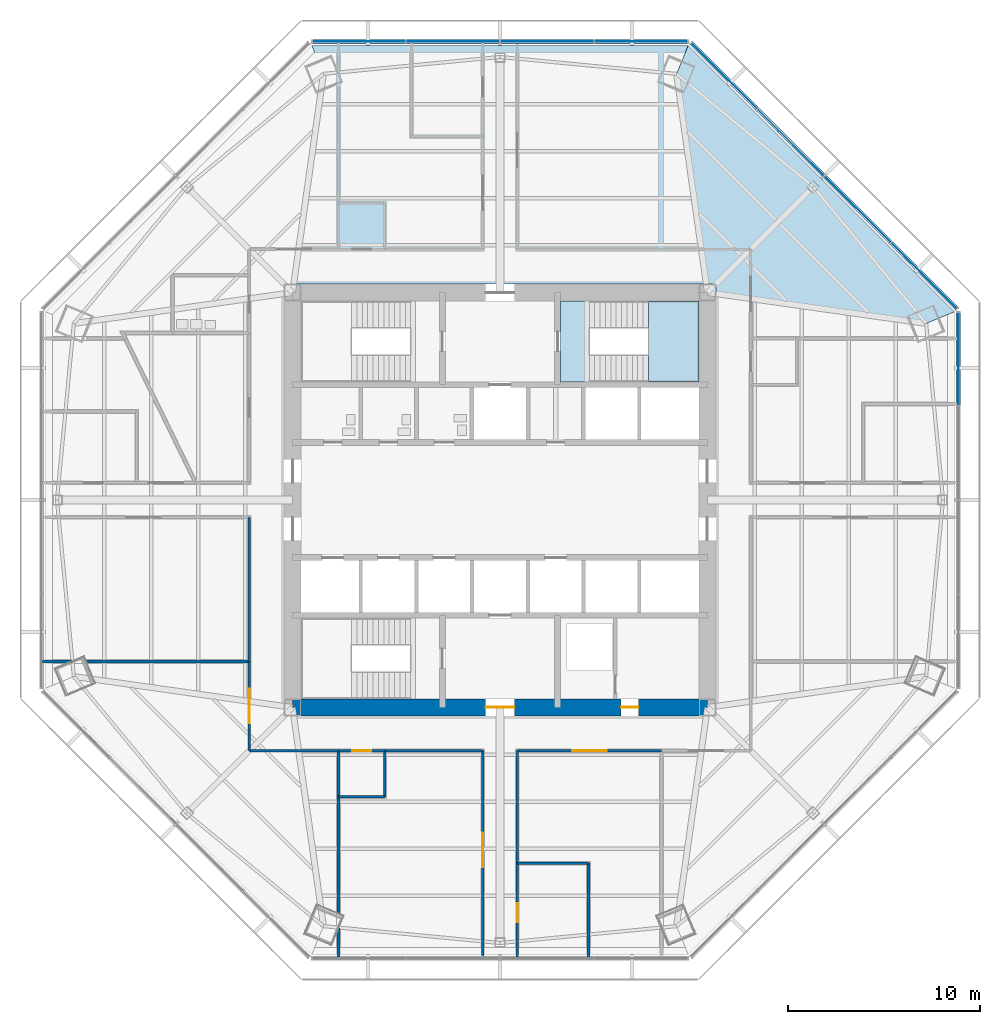
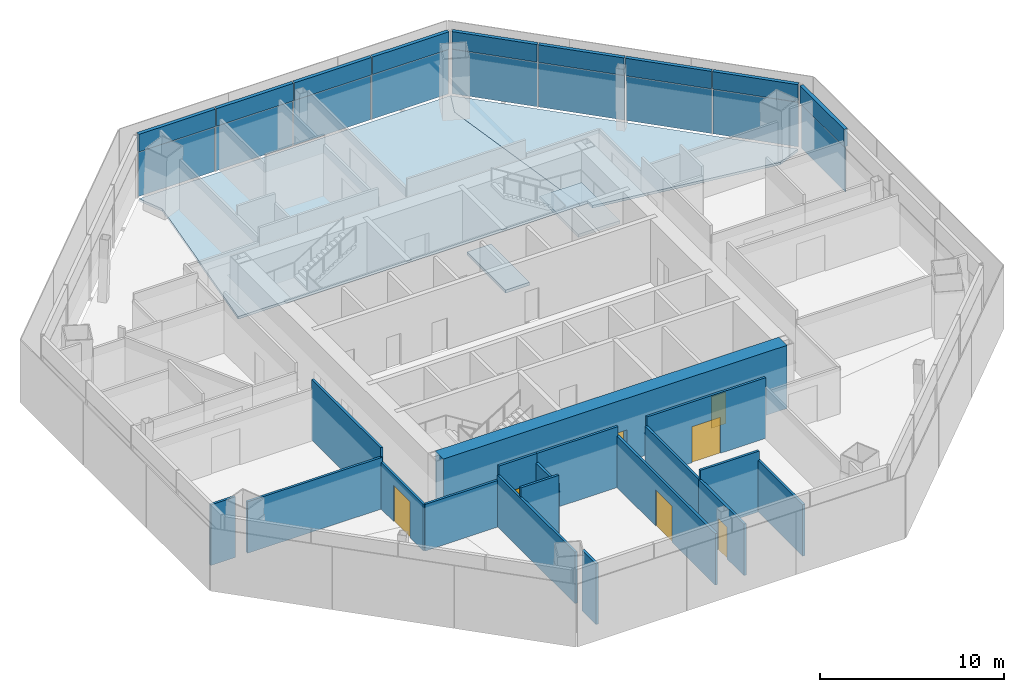
# One storey, part 8 of 14: 18 plates, 18 walls, 7 doors, 4 slabs, 7 openings, 4 elements without a shape of their own.
"""IFC4 building model written with IfcOpenShell, lengths in metres."""

from ifc_helpers import new_model, si_unit, direction, frame, frame_2d, origin, origin_2d, place, context, subcontext, project, spatial, polyline, rectangle, outline, extrude, source, transform, mapped, material, layer, layer_set, type_object, type_shapes, element, fill, aggregate, save


model = new_model("IFC4")

# Units and contexts
model_context = context("Model", 3, precision=1e-05, world=origin(), true_north=direction((0.0, 1.0)))
body_context = subcontext(model_context, "Body", "Model", "MODEL_VIEW")
ifc_project = project(units=[si_unit("LENGTHUNIT", "METRE"), si_unit("AREAUNIT", "SQUARE_METRE"), si_unit("VOLUMEUNIT", "CUBIC_METRE"), si_unit("PLANEANGLEUNIT", "RADIAN"), si_unit("MASSUNIT", "GRAM", prefix="KILO")], contexts=[model_context])

# Site, building, storey
site_placement = place(None, origin())
site = spatial("IfcSite", under=ifc_project, at=site_placement, CompositionType="ELEMENT")
building_placement = place(site_placement, origin())
building = spatial("IfcBuilding", under=site, at=building_placement, Name="Mashrafa Tower", CompositionType="ELEMENT")
storey_placement = place(building_placement, frame((0.0, 0.0, 147.0)))
storey = spatial("IfcBuildingStorey", under=building, at=storey_placement, Name="L33", CompositionType="ELEMENT", Elevation=147.0)

# Slabs
ifc_material_1 = material(Name="Concrete C35/45", Category="concrete")
ifc_layer_1 = layer(ifc_material_1, 0.1650390625)
ifc_layer_set_1 = layer_set([ifc_layer_1], Name="Floor slab 165")
slab_type_1 = type_object("IfcSlabType", Name="Floor slab 165", PredefinedType="FLOOR", material=ifc_layer_set_1)
slab_1_placement = place(storey_placement, frame((0.0, 0.0, -0.1650390625)))
element("IfcSlab", 1, at=slab_1_placement, inside=storey, type_object=slab_type_1, Name="Floor slab L33 north-east bay", PredefinedType="FLOOR", context=body_context, shape_type="SweptSolid", body=[
    extrude(outline(polyline([(9.798828125, 23.65625), (23.65625, 9.798828125), (23.65625, 9.798828125), (22.182861328125, 9.1884765625), (11.25, 10.736328125), (11.25, 11.25), (10.736328125, 11.25), (9.1884765625, 22.182861328125), (9.798828125, 23.65625), (9.798828125, 23.65625)])), origin(), (0.0, 0.0, 1.0), 0.1650390625),
])
slab_2_placement = place(storey_placement, frame((0.0, 0.0, -0.1650390625)))
element("IfcSlab", 2, at=slab_2_placement, inside=storey, type_object=slab_type_1, Name="Floor slab L33 north bay", PredefinedType="FLOOR", context=body_context, shape_type="SweptSolid", body=[
    extrude(outline(polyline([(9.798828125, 23.65625), (9.1884765625, 22.182861328125), (10.736328125, 11.25), (-10.736328125, 11.25), (-9.1884765625, 22.182861328125), (-9.798828125, 23.65625), (9.798828125, 23.65625)])), origin(), (0.0, 0.0, 1.0), 0.1650390625),
])

# Stair, slabs
ifc_material_2 = material(Name="Exit stair 1400")
stair_type = type_object("IfcStairType", Name="Exit stair 1400", PredefinedType="HALF_TURN_STAIR", material=ifc_material_2)
stair_placement = place(storey_placement, origin())
stair = element("IfcStair", 3, at=stair_placement, inside=storey, type_object=stair_type, Name="Stair S2 L33", PredefinedType="HALF_TURN_STAIR")
ifc_material_3 = material(Name="Concrete C32/40", Category="concrete")
ifc_layer_2 = layer(ifc_material_3, 0.199951171875)
ifc_layer_set_2 = layer_set([ifc_layer_2], Name="Stair landing 200")
slab_type_2 = type_object("IfcSlabType", Name="Stair landing 200", PredefinedType="LANDING", material=ifc_layer_set_2)
slab_3_placement = place(storey_placement, frame((0.0, 0.0, -0.199951171875)))
slab_3 = element("IfcSlab", 4, at=slab_3_placement, type_object=slab_type_2, Name="S2 landing 1", PredefinedType="LANDING", context=body_context, shape_type="SweptSolid", body=[
    extrude(outline(polyline([(3.14990234375, 6.14990234375), (4.659912109375, 6.14990234375), (4.659912109375, 10.35009765625), (3.14990234375, 10.35009765625), (3.14990234375, 6.14990234375)])), origin(), (0.0, 0.0, 1.0), 0.199951171875),
])
slab_4_placement = place(storey_placement, frame((0.0, 0.0, 1.89990234375)))
slab_4 = element("IfcSlab", 5, at=slab_4_placement, type_object=slab_type_2, Name="S2 landing 2", PredefinedType="LANDING", context=body_context, shape_type="SweptSolid", body=[
    extrude(outline(polyline([(7.719970703125, 6.14990234375), (10.35009765625, 6.14990234375), (10.35009765625, 10.35009765625), (7.719970703125, 10.35009765625), (7.719970703125, 6.14990234375)])), origin(), (0.0, 0.0, 1.0), 0.2001953125),
])
aggregate(stair, [slab_3, slab_4])

# Curtain wall, plate
ifc_material_4 = material(Name="Unitised aluminium curtain wall", Category="aluminium")
curtain_wall_type = type_object("IfcCurtainWallType", Name="Office curtain wall, zone 2 CW-B 225 deep", PredefinedType="NOTDEFINED", material=ifc_material_4)
curtain_wall_1_placement = place(storey_placement, origin())
curtain_wall_1 = element("IfcCurtainWall", 6, at=curtain_wall_1_placement, inside=storey, type_object=curtain_wall_type, Name="Office curtain wall, zone 2 L33 east", PredefinedType="NOTDEFINED")
ifc_material_5 = material(Name="Insulated double glazing, low-e, neutral", Category="glass")
ifc_layer_3 = layer(ifc_material_5, 0.028076171875)
ifc_layer_set_3 = layer_set([ifc_layer_3], Name="Vision panel CW-B 28")
plate_type_1 = type_object("IfcPlateType", Name="Vision panel CW-B 28", PredefinedType="CURTAIN_PANEL", material=ifc_layer_set_3)
shared_shape_1 = source(origin(), body_context, "Body", "SweptSolid", [
    extrude(rectangle(XDim=4.81494140625, YDim=0.028076171875, at=origin_2d()), origin(), (0.0, 0.0, 1.0), 2.9599609375),
])
plate_1_placement = place(storey_placement, frame((23.856201171875, 7.3525390625, 0.0), z_axis=(0.0, 0.0, 1.0), x_axis=(0.0, 1.0, 0.0)))
plate_1 = element("IfcPlate", 7, at=plate_1_placement, type_object=plate_type_1, Name="CW-B vision panel 4", PredefinedType="CURTAIN_PANEL", context=body_context, shape_type="MappedRepresentation", body=[
    mapped(shared_shape_1, transform((0.0, 0.0, 0.0))),
])

# Curtain wall, plates
curtain_wall_2_placement = place(storey_placement, origin())
curtain_wall_2 = element("IfcCurtainWall", 8, at=curtain_wall_2_placement, inside=storey, type_object=curtain_wall_type, Name="Office curtain wall, zone 2 L33 north-east", PredefinedType="NOTDEFINED")
plate_2_placement = place(storey_placement, frame((22.06787109375, 11.669921875, 0.0), z_axis=(0.0, 0.0, 1.0), x_axis=(-0.707106781187, 0.707106781187, 0.0)))
plate_2 = element("IfcPlate", 9, at=plate_2_placement, type_object=plate_type_1, Name="CW-B vision panel 1", PredefinedType="CURTAIN_PANEL", context=body_context, shape_type="MappedRepresentation", body=[
    mapped(shared_shape_1, transform((0.0, 0.0, 0.0))),
])
plate_3_placement = place(storey_placement, frame((11.669921875, 22.06787109375, 0.0), z_axis=(0.0, 0.0, 1.0), x_axis=(-0.707106781187, 0.707106781187, 0.0)))
plate_3 = element("IfcPlate", 10, at=plate_3_placement, type_object=plate_type_1, Name="CW-B vision panel 4", PredefinedType="CURTAIN_PANEL", context=body_context, shape_type="MappedRepresentation", body=[
    mapped(shared_shape_1, transform((0.0, 0.0, 0.0))),
])

curtain_wall_3_placement = place(storey_placement, origin())
curtain_wall_3 = element("IfcCurtainWall", 11, at=curtain_wall_3_placement, inside=storey, type_object=curtain_wall_type, Name="Office curtain wall, zone 2 L33 north", PredefinedType="NOTDEFINED")
plate_4_placement = place(storey_placement, frame((7.3525390625, 23.856201171875, 0.0), z_axis=(0.0, 0.0, 1.0), x_axis=(-1.0, 0.0, 0.0)))
plate_4 = element("IfcPlate", 12, at=plate_4_placement, type_object=plate_type_1, Name="CW-B vision panel 1", PredefinedType="CURTAIN_PANEL", context=body_context, shape_type="MappedRepresentation", body=[
    mapped(shared_shape_1, transform((0.0, 0.0, 0.0))),
])
plate_5_placement = place(storey_placement, frame((-7.3525390625, 23.856201171875, 0.0), z_axis=(0.0, 0.0, 1.0), x_axis=(-1.0, 0.0, 0.0)))
plate_5 = element("IfcPlate", 13, at=plate_5_placement, type_object=plate_type_1, Name="CW-B vision panel 4", PredefinedType="CURTAIN_PANEL", context=body_context, shape_type="MappedRepresentation", body=[
    mapped(shared_shape_1, transform((0.0, 0.0, 0.0))),
])

# Plate
ifc_material_6 = material(Name="Insulated aluminium spandrel panel", Category="aluminium")
ifc_layer_4 = layer(ifc_material_6, 0.219970703125)
ifc_layer_set_4 = layer_set([ifc_layer_4], Name="Spandrel panel CW-B 220")
plate_type_2 = type_object("IfcPlateType", Name="Spandrel panel CW-B 220", PredefinedType="CURTAIN_PANEL", material=ifc_layer_set_4)
shared_shape_2 = source(origin(), body_context, "Body", "SweptSolid", [
    extrude(rectangle(XDim=4.81494140625, YDim=0.219970703125, at=origin_2d()), origin(), (0.0, 0.0, 1.0), 1.159912109375),
])
plate_6_placement = place(storey_placement, frame((23.856201171875, 7.3525390625, 3.0400390625), z_axis=(0.0, 0.0, 1.0), x_axis=(0.0, 1.0, 0.0)))
plate_6 = element("IfcPlate", 14, at=plate_6_placement, type_object=plate_type_2, Name="CW-B spandrel panel 4", PredefinedType="CURTAIN_PANEL", context=body_context, shape_type="MappedRepresentation", body=[
    mapped(shared_shape_2, transform((0.0, 0.0, 0.0))),
])

aggregate(curtain_wall_1, [plate_1, plate_6])

plate_7_placement = place(storey_placement, frame((22.06787109375, 11.669921875, 3.0400390625), z_axis=(0.0, 0.0, 1.0), x_axis=(-0.707106781187, 0.707106781187, 0.0)))
plate_7 = element("IfcPlate", 15, at=plate_7_placement, type_object=plate_type_2, Name="CW-B spandrel panel 1", PredefinedType="CURTAIN_PANEL", context=body_context, shape_type="MappedRepresentation", body=[
    mapped(shared_shape_2, transform((0.0, 0.0, 0.0))),
])

plate_8_placement = place(storey_placement, frame((11.669921875, 22.06787109375, 3.0400390625), z_axis=(0.0, 0.0, 1.0), x_axis=(-0.707106781187, 0.707106781187, 0.0)))
plate_8 = element("IfcPlate", 16, at=plate_8_placement, type_object=plate_type_2, Name="CW-B spandrel panel 4", PredefinedType="CURTAIN_PANEL", context=body_context, shape_type="MappedRepresentation", body=[
    mapped(shared_shape_2, transform((0.0, 0.0, 0.0))),
])

plate_9_placement = place(storey_placement, frame((7.3525390625, 23.856201171875, 3.0400390625), z_axis=(0.0, 0.0, 1.0), x_axis=(-1.0, 0.0, 0.0)))
plate_9 = element("IfcPlate", 17, at=plate_9_placement, type_object=plate_type_2, Name="CW-B spandrel panel 1", PredefinedType="CURTAIN_PANEL", context=body_context, shape_type="MappedRepresentation", body=[
    mapped(shared_shape_2, transform((0.0, 0.0, 0.0))),
])

plate_10_placement = place(storey_placement, frame((-7.3525390625, 23.856201171875, 3.0400390625), z_axis=(0.0, 0.0, 1.0), x_axis=(-1.0, 0.0, 0.0)))
plate_10 = element("IfcPlate", 18, at=plate_10_placement, type_object=plate_type_2, Name="CW-B spandrel panel 4", PredefinedType="CURTAIN_PANEL", context=body_context, shape_type="MappedRepresentation", body=[
    mapped(shared_shape_2, transform((0.0, 0.0, 0.0))),
])

shared_shape_3 = source(origin(), body_context, "Body", "SweptSolid", [
    extrude(rectangle(XDim=4.847412109375, YDim=0.028076171875, at=origin_2d()), origin(), (0.0, 0.0, 1.0), 2.9599609375),
])
type_shapes(plate_type_1, [shared_shape_1, shared_shape_3])
plate_11_placement = place(storey_placement, frame((18.605712890625, 15.132080078125, 0.0), z_axis=(0.0, 0.0, 1.0), x_axis=(-0.707106781187, 0.707106781187, 0.0)))
plate_11 = element("IfcPlate", 19, at=plate_11_placement, type_object=plate_type_1, Name="CW-B vision panel 2", PredefinedType="CURTAIN_PANEL", context=body_context, shape_type="MappedRepresentation", body=[
    mapped(shared_shape_3, transform((0.0, 0.0, 0.0))),
])

plate_12_placement = place(storey_placement, frame((15.132080078125, 18.605712890625, 0.0), z_axis=(0.0, 0.0, 1.0), x_axis=(-0.707106781187, 0.707106781187, 0.0)))
plate_12 = element("IfcPlate", 20, at=plate_12_placement, type_object=plate_type_1, Name="CW-B vision panel 3", PredefinedType="CURTAIN_PANEL", context=body_context, shape_type="MappedRepresentation", body=[
    mapped(shared_shape_3, transform((0.0, 0.0, 0.0))),
])

plate_13_placement = place(storey_placement, frame((2.456298828125, 23.856201171875, 0.0), z_axis=(0.0, 0.0, 1.0), x_axis=(-1.0, 0.0, 0.0)))
plate_13 = element("IfcPlate", 21, at=plate_13_placement, type_object=plate_type_1, Name="CW-B vision panel 2", PredefinedType="CURTAIN_PANEL", context=body_context, shape_type="MappedRepresentation", body=[
    mapped(shared_shape_3, transform((0.0, 0.0, 0.0))),
])

plate_14_placement = place(storey_placement, frame((-2.456298828125, 23.856201171875, 0.0), z_axis=(0.0, 0.0, 1.0), x_axis=(-1.0, 0.0, 0.0)))
plate_14 = element("IfcPlate", 22, at=plate_14_placement, type_object=plate_type_1, Name="CW-B vision panel 3", PredefinedType="CURTAIN_PANEL", context=body_context, shape_type="MappedRepresentation", body=[
    mapped(shared_shape_3, transform((0.0, 0.0, 0.0))),
])

shared_shape_4 = source(origin(), body_context, "Body", "SweptSolid", [
    extrude(rectangle(XDim=4.847412109375, YDim=0.219970703125, at=origin_2d()), origin(), (0.0, 0.0, 1.0), 1.159912109375),
])
type_shapes(plate_type_2, [shared_shape_2, shared_shape_4])
plate_15_placement = place(storey_placement, frame((18.605712890625, 15.132080078125, 3.0400390625), z_axis=(0.0, 0.0, 1.0), x_axis=(-0.707106781187, 0.707106781187, 0.0)))
plate_15 = element("IfcPlate", 23, at=plate_15_placement, type_object=plate_type_2, Name="CW-B spandrel panel 2", PredefinedType="CURTAIN_PANEL", context=body_context, shape_type="MappedRepresentation", body=[
    mapped(shared_shape_4, transform((0.0, 0.0, 0.0))),
])

plate_16_placement = place(storey_placement, frame((15.132080078125, 18.605712890625, 3.0400390625), z_axis=(0.0, 0.0, 1.0), x_axis=(-0.707106781187, 0.707106781187, 0.0)))
plate_16 = element("IfcPlate", 24, at=plate_16_placement, type_object=plate_type_2, Name="CW-B spandrel panel 3", PredefinedType="CURTAIN_PANEL", context=body_context, shape_type="MappedRepresentation", body=[
    mapped(shared_shape_4, transform((0.0, 0.0, 0.0))),
])

aggregate(curtain_wall_2, [plate_2, plate_7, plate_11, plate_15, plate_12, plate_16, plate_3, plate_8])

plate_17_placement = place(storey_placement, frame((2.456298828125, 23.856201171875, 3.0400390625), z_axis=(0.0, 0.0, 1.0), x_axis=(-1.0, 0.0, 0.0)))
plate_17 = element("IfcPlate", 25, at=plate_17_placement, type_object=plate_type_2, Name="CW-B spandrel panel 2", PredefinedType="CURTAIN_PANEL", context=body_context, shape_type="MappedRepresentation", body=[
    mapped(shared_shape_4, transform((0.0, 0.0, 0.0))),
])

plate_18_placement = place(storey_placement, frame((-2.456298828125, 23.856201171875, 3.0400390625), z_axis=(0.0, 0.0, 1.0), x_axis=(-1.0, 0.0, 0.0)))
plate_18 = element("IfcPlate", 26, at=plate_18_placement, type_object=plate_type_2, Name="CW-B spandrel panel 3", PredefinedType="CURTAIN_PANEL", context=body_context, shape_type="MappedRepresentation", body=[
    mapped(shared_shape_4, transform((0.0, 0.0, 0.0))),
])

aggregate(curtain_wall_3, [plate_4, plate_9, plate_13, plate_17, plate_14, plate_18, plate_5, plate_10])

# Wall, openings, doors
ifc_material_7 = material(Name="Concrete C60/75", Category="concrete")
ifc_layer_5 = layer(ifc_material_7, 0.89990234375)
ifc_layer_set_5 = layer_set([ifc_layer_5], Name="Core wall 900 C60/75")
wall_type_1 = type_object("IfcWallType", Name="Core wall 900 C60/75", PredefinedType="SOLIDWALL", material=ifc_layer_set_5)
wall_1_placement = place(storey_placement, frame((-10.800048828125, -10.800048828125, 0.0), z_axis=(0.0, 0.0, 1.0), x_axis=(1.0, 0.0, 0.0)))
wall_1 = element("IfcWall", 27, at=wall_1_placement, inside=storey, type_object=wall_type_1, Name="Core wall CW-S L33", PredefinedType="SOLIDWALL", context=body_context, shape_type="SweptSolid", body=[
    extrude(rectangle(XDim=21.60009765625, YDim=0.89990234375, at=frame_2d((10.800048828125, 0.0))), origin(), (0.0, 0.0, 1.0), 4.199951171875),
])
opening_1_placement = place(wall_1_placement, frame((10.050048828125, 0.0, 0.0)))
opening_1 = element("IfcOpeningElement", 28, at=opening_1_placement, cuts=wall_1, Name="Opening 33.027", PredefinedType="OPENING", context=body_context, shape_type="SweptSolid", body=[
    extrude(rectangle(XDim=1.5, YDim=2.10009765625, at=frame_2d((0.75, 1.050048828125))), frame((0.0, 0.4599609375, 0.0), z_axis=(0.0, -1.0, 0.0), x_axis=(1.0, 0.0, 0.0)), (0.0, 0.0, 1.0), 0.919921875),
])
opening_2_placement = place(wall_1_placement, frame((17.10009765625, 0.0, 0.0)))
opening_2 = element("IfcOpeningElement", 29, at=opening_2_placement, cuts=wall_1, Name="Opening 33.031", PredefinedType="OPENING", context=body_context, shape_type="SweptSolid", body=[
    extrude(rectangle(XDim=0.89990234375, YDim=2.10009765625, at=frame_2d((0.449951171875, 1.050048828125))), frame((0.0, 0.4599609375, 0.0), z_axis=(0.0, -1.0, 0.0), x_axis=(1.0, 0.0, 0.0)), (0.0, 0.0, 1.0), 0.919921875),
])
ifc_material_8 = material(Name="Steel door", Category="steel")
door_type_1 = type_object("IfcDoorType", Name="Lobby door pair 1500 x 2100 90 min", OperationType="DOUBLE_DOOR_SINGLE_SWING", PredefinedType="DOOR", material=ifc_material_8)
door_1_placement = place(opening_1_placement, origin())
door_1 = element("IfcDoor", 30, at=door_1_placement, inside=storey, type_object=door_type_1, Name="Fire-fighting lobby F2 door L33", OperationType="DOUBLE_DOOR_SINGLE_SWING", OverallHeight=2.10009765625, OverallWidth=1.5, PredefinedType="DOOR", context=body_context, shape_type="SweptSolid", body=[
    extrude(rectangle(XDim=1.5, YDim=2.10009765625, at=frame_2d((0.75, 1.050048828125))), frame((0.0, 0.02490234375, 0.0), z_axis=(0.0, -1.0, 0.0), x_axis=(1.0, 0.0, 0.0)), (0.0, 0.0, 1.0), 0.050048828125),
])
fill(opening_1, door_1)
ifc_material_9 = material(Name="Steel door", Category="steel")
door_type_2 = type_object("IfcDoorType", Name="Service door 900 x 2100 90 min", OperationType="USERDEFINED", PredefinedType="DOOR", material=ifc_material_9)
door_2_placement = place(opening_2_placement, origin())
door_2 = element("IfcDoor", 31, at=door_2_placement, inside=storey, type_object=door_type_2, Name="Tenant Store L33 door", OperationType="SINGLE_SWING_LEFT", OverallHeight=2.10009765625, OverallWidth=0.89990234375, PredefinedType="DOOR", context=body_context, shape_type="SweptSolid", body=[
    extrude(rectangle(XDim=0.89990234375, YDim=2.10009765625, at=frame_2d((0.449951171875, 1.050048828125))), frame((0.0, 0.02490234375, 0.0), z_axis=(0.0, -1.0, 0.0), x_axis=(1.0, 0.0, 0.0)), (0.0, 0.0, 1.0), 0.050048828125),
])
fill(opening_2, door_2)

# Wall, opening, door
ifc_material_10 = material(Name="Gypsum board on steel studs", Category="steel")
ifc_layer_6 = layer(ifc_material_10, 0.14990234375)
ifc_layer_set_6 = layer_set([ifc_layer_6], Name="Corridor partition 150 1 hr")
wall_type_2 = type_object("IfcWallType", Name="Corridor partition 150 1 hr", PredefinedType="PARTITIONING", material=ifc_layer_set_6)
wall_2_placement = place(storey_placement, frame((0.89990234375, -23.84033203125, 0.0), z_axis=(0.0, 0.0, 1.0), x_axis=(0.0, 1.0, 0.0)))
wall_2 = element("IfcWall", 32, at=wall_2_placement, inside=storey, type_object=wall_type_2, Name="Corridor wall L33-005", PredefinedType="PARTITIONING", context=body_context, shape_type="SweptSolid", body=[
    extrude(rectangle(XDim=4.93505859375, YDim=0.14990234375, at=frame_2d((2.467529296875, 0.0))), origin(), (0.0, 0.0, 1.0), 3.425537109375),
])
opening_3_placement = place(wall_2_placement, frame((1.849609375, 0.0, 0.0)))
opening_3 = element("IfcOpeningElement", 33, at=opening_3_placement, cuts=wall_2, Name="Opening 33.004", PredefinedType="OPENING", context=body_context, shape_type="SweptSolid", body=[
    extrude(rectangle(XDim=1.0, YDim=2.10009765625, at=frame_2d((0.5, 1.050048828125))), frame((0.0, 0.0849609375, 0.0), z_axis=(0.0, -1.0, 0.0), x_axis=(1.0, 0.0, 0.0)), (0.0, 0.0, 1.0), 0.169921875),
])
ifc_material_11 = material(Name="Timber door", Category="wood")
door_type_3 = type_object("IfcDoorType", Name="Door 1000 x 2100", OperationType="USERDEFINED", PredefinedType="DOOR", material=ifc_material_11)
door_3_placement = place(opening_3_placement, frame((1.0, 0.0, 0.0), z_axis=(0.0, 0.0, 1.0), x_axis=(-1.0, 0.0, 0.0)))
door_3 = element("IfcDoor", 34, at=door_3_placement, inside=storey, type_object=door_type_3, Name="Meeting Room 33-S door", OperationType="SINGLE_SWING_RIGHT", OverallHeight=2.10009765625, OverallWidth=1.0, PredefinedType="DOOR", context=body_context, shape_type="SweptSolid", body=[
    extrude(rectangle(XDim=1.0, YDim=2.10009765625, at=frame_2d((0.5, 1.050048828125))), frame((0.0, 0.02490234375, 0.0), z_axis=(0.0, -1.0, 0.0), x_axis=(1.0, 0.0, 0.0)), (0.0, 0.0, 1.0), 0.050048828125),
])
fill(opening_3, door_3)

wall_3_placement = place(storey_placement, frame((-8.40087890625, -13.050048828125, 0.0), z_axis=(0.0, 0.0, 1.0), x_axis=(1.0, 0.0, 0.0)))
wall_3 = element("IfcWall", 35, at=wall_3_placement, inside=storey, type_object=wall_type_2, Name="Corridor wall L33-010", PredefinedType="PARTITIONING", context=body_context, shape_type="SweptSolid", body=[
    extrude(rectangle(XDim=2.40185546875, YDim=0.14990234375, at=frame_2d((1.200927734375, 0.0))), origin(), (0.0, 0.0, 1.0), 4.034912109375),
])
opening_4_placement = place(wall_3_placement, frame((0.700927734375, 0.0, 0.0)))
opening_4 = element("IfcOpeningElement", 36, at=opening_4_placement, cuts=wall_3, Name="Opening 33.009", PredefinedType="OPENING", context=body_context, shape_type="SweptSolid", body=[
    extrude(rectangle(XDim=1.0, YDim=2.10009765625, at=frame_2d((0.5, 1.050048828125))), frame((0.0, 0.0849609375, 0.0), z_axis=(0.0, -1.0, 0.0), x_axis=(1.0, 0.0, 0.0)), (0.0, 0.0, 1.0), 0.169921875),
])
door_4_placement = place(opening_4_placement, frame((1.0, 0.0, 0.0), z_axis=(0.0, 0.0, 1.0), x_axis=(-1.0, 0.0, 0.0)))
door_4 = element("IfcDoor", 37, at=door_4_placement, inside=storey, type_object=door_type_3, Name="Kitchenette 33-S door", OperationType="SINGLE_SWING_RIGHT", OverallHeight=2.10009765625, OverallWidth=1.0, PredefinedType="DOOR", context=body_context, shape_type="SweptSolid", body=[
    extrude(rectangle(XDim=1.0, YDim=2.10009765625, at=frame_2d((0.5, 1.050048828125))), frame((0.0, 0.02490234375, 0.0), z_axis=(0.0, -1.0, 0.0), x_axis=(1.0, 0.0, 0.0)), (0.0, 0.0, 1.0), 0.050048828125),
])
fill(opening_4, door_4)

# Wall
wall_4_placement = place(storey_placement, frame((-6.0009765625, -13.050048828125, 0.0), z_axis=(0.0, 0.0, 1.0), x_axis=(1.0, 0.0, 0.0)))
element("IfcWall", 38, at=wall_4_placement, inside=storey, type_object=wall_type_2, Name="Corridor wall L33-022", PredefinedType="PARTITIONING", context=body_context, shape_type="SweptSolid", body=[
    extrude(rectangle(XDim=5.10107421875, YDim=0.14990234375, at=frame_2d((2.550537109375, 0.0))), origin(), (0.0, 0.0, 1.0), 4.034912109375),
])

# Wall, opening, door
wall_5_placement = place(storey_placement, frame((-0.89990234375, -13.050048828125, 0.0), z_axis=(0.0, 0.0, 1.0), x_axis=(0.0, -1.0, 0.0)))
wall_5 = element("IfcWall", 39, at=wall_5_placement, inside=storey, type_object=wall_type_2, Name="Corridor wall L33-023", PredefinedType="PARTITIONING", context=body_context, shape_type="SweptSolid", body=[
    extrude(rectangle(XDim=10.790283203125, YDim=0.14990234375, at=frame_2d((5.39501953125, 0.0))), origin(), (0.0, 0.0, 1.0), 3.425537109375),
])
opening_5_placement = place(wall_5_placement, frame((4.278076171875, 0.0, 0.0)))
opening_5 = element("IfcOpeningElement", 40, at=opening_5_placement, cuts=wall_5, Name="Opening 33.016", PredefinedType="OPENING", context=body_context, shape_type="SweptSolid", body=[
    extrude(rectangle(XDim=1.800048828125, YDim=2.39990234375, at=frame_2d((0.89990234375, 1.199951171875))), frame((0.0, 0.0849609375, 0.0), z_axis=(0.0, -1.0, 0.0), x_axis=(1.0, 0.0, 0.0)), (0.0, 0.0, 1.0), 0.169921875),
])
ifc_material_12 = material(Name="Timber door", Category="wood")
door_type_4 = type_object("IfcDoorType", Name="Door pair 1800 x 2400", OperationType="DOUBLE_DOOR_SINGLE_SWING", PredefinedType="DOOR", material=ifc_material_12)
door_5_placement = place(opening_5_placement, frame((1.800048828125, 0.0, 0.0), z_axis=(0.0, 0.0, 1.0), x_axis=(-1.0, 0.0, 0.0)))
door_5 = element("IfcDoor", 41, at=door_5_placement, inside=storey, type_object=door_type_4, Name="Office Suite 33-SW12 door", OperationType="DOUBLE_DOOR_SINGLE_SWING", OverallHeight=2.39990234375, OverallWidth=1.800048828125, PredefinedType="DOOR", context=body_context, shape_type="SweptSolid", body=[
    extrude(rectangle(XDim=1.800048828125, YDim=2.39990234375, at=frame_2d((0.89990234375, 1.199951171875))), frame((0.0, 0.02490234375, 0.0), z_axis=(0.0, -1.0, 0.0), x_axis=(1.0, 0.0, 0.0)), (0.0, 0.0, 1.0), 0.050048828125),
])
fill(opening_5, door_5)

# Wall
wall_6_placement = place(storey_placement, frame((-13.050048828125, -0.89990234375, 0.0), z_axis=(0.0, 0.0, 1.0), x_axis=(0.0, -1.0, 0.0)))
element("IfcWall", 42, at=wall_6_placement, inside=storey, type_object=wall_type_2, Name="Corridor wall L33-025", PredefinedType="PARTITIONING", context=body_context, shape_type="SweptSolid", body=[
    extrude(rectangle(XDim=7.5009765625, YDim=0.14990234375, at=frame_2d((3.75048828125, 0.0))), origin(), (0.0, 0.0, 1.0), 4.034912109375),
])

# Wall, opening, door
wall_7_placement = place(storey_placement, frame((-13.050048828125, -8.39892578125, 0.0), z_axis=(0.0, 0.0, 1.0), x_axis=(0.0, -1.0, 0.0)))
wall_7 = element("IfcWall", 43, at=wall_7_placement, inside=storey, type_object=wall_type_2, Name="Corridor wall L33-026", PredefinedType="PARTITIONING", context=body_context, shape_type="SweptSolid", body=[
    extrude(rectangle(XDim=4.651123046875, YDim=0.14990234375, at=frame_2d((2.32568359375, 0.0))), origin(), (0.0, 0.0, 1.0), 3.097900390625),
])
opening_6_placement = place(wall_7_placement, frame((1.425537109375, 0.0, 0.0)))
opening_6 = element("IfcOpeningElement", 44, at=opening_6_placement, cuts=wall_7, Name="Opening 33.018", PredefinedType="OPENING", context=body_context, shape_type="SweptSolid", body=[
    extrude(rectangle(XDim=1.800048828125, YDim=2.39990234375, at=frame_2d((0.89990234375, 1.199951171875))), frame((0.0, 0.0849609375, 0.0), z_axis=(0.0, -1.0, 0.0), x_axis=(1.0, 0.0, 0.0)), (0.0, 0.0, 1.0), 0.169921875),
])
door_6_placement = place(opening_6_placement, frame((1.800048828125, 0.0, 0.0), z_axis=(0.0, 0.0, 1.0), x_axis=(-1.0, 0.0, 0.0)))
door_6 = element("IfcDoor", 45, at=door_6_placement, inside=storey, type_object=door_type_4, Name="Office Suite 33-SW22 door", OperationType="DOUBLE_DOOR_SINGLE_SWING", OverallHeight=2.39990234375, OverallWidth=1.800048828125, PredefinedType="DOOR", context=body_context, shape_type="SweptSolid", body=[
    extrude(rectangle(XDim=1.800048828125, YDim=2.39990234375, at=frame_2d((0.89990234375, 1.199951171875))), frame((0.0, 0.02490234375, 0.0), z_axis=(0.0, -1.0, 0.0), x_axis=(1.0, 0.0, 0.0)), (0.0, 0.0, 1.0), 0.050048828125),
])
fill(opening_6, door_6)

# Walls
wall_8_placement = place(storey_placement, frame((-13.050048828125, -13.050048828125, 0.0), z_axis=(0.0, 0.0, 1.0), x_axis=(1.0, 0.0, 0.0)))
element("IfcWall", 46, at=wall_8_placement, inside=storey, type_object=wall_type_2, Name="Corridor wall L33-027", PredefinedType="PARTITIONING", context=body_context, shape_type="SweptSolid", body=[
    extrude(rectangle(XDim=4.651123046875, YDim=0.14990234375, at=frame_2d((2.32568359375, 0.0))), origin(), (0.0, 0.0, 1.0), 3.097900390625),
])
wall_9_placement = place(storey_placement, frame((0.89990234375, -18.9072265625, 0.0), z_axis=(0.0, 0.0, 1.0), x_axis=(0.0, 1.0, 0.0)))
element("IfcWall", 47, at=wall_9_placement, inside=storey, type_object=wall_type_2, Name="Corridor wall L33-028", PredefinedType="PARTITIONING", context=body_context, shape_type="SweptSolid", body=[
    extrude(rectangle(XDim=5.857177734375, YDim=0.14990234375, at=frame_2d((2.9287109375, 0.0))), origin(), (0.0, 0.0, 1.0), 3.425537109375),
])

# Wall, opening, door
wall_10_placement = place(storey_placement, frame((0.89990234375, -13.050048828125, 0.0), z_axis=(0.0, 0.0, 1.0), x_axis=(1.0, 0.0, 0.0)))
wall_10 = element("IfcWall", 48, at=wall_10_placement, inside=storey, type_object=wall_type_2, Name="Corridor wall L33-029", PredefinedType="PARTITIONING", context=body_context, shape_type="SweptSolid", body=[
    extrude(rectangle(XDim=7.5009765625, YDim=0.14990234375, at=frame_2d((3.75048828125, 0.0))), origin(), (0.0, 0.0, 1.0), 4.034912109375),
])
opening_7_placement = place(wall_10_placement, frame((2.8505859375, 0.0, 0.0)))
opening_7 = element("IfcOpeningElement", 49, at=opening_7_placement, cuts=wall_10, Name="Opening 33.019", PredefinedType="OPENING", context=body_context, shape_type="SweptSolid", body=[
    extrude(rectangle(XDim=1.800048828125, YDim=2.39990234375, at=frame_2d((0.89990234375, 1.199951171875))), frame((0.0, 0.0849609375, 0.0), z_axis=(0.0, -1.0, 0.0), x_axis=(1.0, 0.0, 0.0)), (0.0, 0.0, 1.0), 0.169921875),
])
door_7_placement = place(opening_7_placement, frame((1.800048828125, 0.0, 0.0), z_axis=(0.0, 0.0, 1.0), x_axis=(-1.0, 0.0, 0.0)))
door_7 = element("IfcDoor", 50, at=door_7_placement, inside=storey, type_object=door_type_4, Name="Office Suite 33-SE12 door", OperationType="DOUBLE_DOOR_SINGLE_SWING", OverallHeight=2.39990234375, OverallWidth=1.800048828125, PredefinedType="DOOR", context=body_context, shape_type="SweptSolid", body=[
    extrude(rectangle(XDim=1.800048828125, YDim=2.39990234375, at=frame_2d((0.89990234375, 1.199951171875))), frame((0.0, 0.02490234375, 0.0), z_axis=(0.0, -1.0, 0.0), x_axis=(1.0, 0.0, 0.0)), (0.0, 0.0, 1.0), 0.050048828125),
])
fill(opening_7, door_7)

# Walls
ifc_material_13 = material(Name="Gypsum board on steel studs", Category="steel")
ifc_layer_7 = layer(ifc_material_13, 0.14990234375)
ifc_layer_set_7 = layer_set([ifc_layer_7], Name="Partition 150")
wall_type_3 = type_object("IfcWallType", Name="Partition 150", PredefinedType="PARTITIONING", material=ifc_layer_set_7)
wall_11_placement = place(storey_placement, frame((4.60009765625, -23.83837890625, 0.0), z_axis=(0.0, 0.0, 1.0), x_axis=(0.0, 1.0, 0.0)))
element("IfcWall", 51, at=wall_11_placement, inside=storey, type_object=wall_type_3, Name="Partition wall L33-042", PredefinedType="PARTITIONING", context=body_context, shape_type="SweptSolid", body=[
    extrude(rectangle(XDim=4.93212890625, YDim=0.14990234375, at=frame_2d((2.466064453125, 0.0))), origin(), (0.0, 0.0, 1.0), 3.425537109375),
])
wall_12_placement = place(storey_placement, frame((4.60009765625, -18.90625, 0.0), z_axis=(0.0, 0.0, 1.0), x_axis=(-1.0, 0.0, 0.0)))
element("IfcWall", 52, at=wall_12_placement, inside=storey, type_object=wall_type_3, Name="Partition wall L33-043", PredefinedType="PARTITIONING", context=body_context, shape_type="SweptSolid", body=[
    extrude(rectangle(XDim=3.7001953125, YDim=0.14990234375, at=frame_2d((1.85009765625, 0.0))), origin(), (0.0, 0.0, 1.0), 4.034912109375),
])
wall_13_placement = place(storey_placement, frame((-8.39990234375, -15.449951171875, 0.0), z_axis=(0.0, 0.0, 1.0), x_axis=(1.0, 0.0, 0.0)))
element("IfcWall", 53, at=wall_13_placement, inside=storey, type_object=wall_type_3, Name="Partition wall L33-054", PredefinedType="PARTITIONING", context=body_context, shape_type="SweptSolid", body=[
    extrude(rectangle(XDim=2.39990234375, YDim=0.14990234375, at=frame_2d((1.199951171875, 0.0))), origin(), (0.0, 0.0, 1.0), 4.034912109375),
])
wall_14_placement = place(storey_placement, frame((-6.0, -15.449951171875, 0.0), z_axis=(0.0, 0.0, 1.0), x_axis=(0.0, 1.0, 0.0)))
element("IfcWall", 54, at=wall_14_placement, inside=storey, type_object=wall_type_3, Name="Partition wall L33-055", PredefinedType="PARTITIONING", context=body_context, shape_type="SweptSolid", body=[
    extrude(rectangle(XDim=2.39990234375, YDim=0.14990234375, at=frame_2d((1.199951171875, 0.0))), origin(), (0.0, 0.0, 1.0), 3.425537109375),
])
wall_15_placement = place(storey_placement, frame((-8.39990234375, -13.050048828125, 0.0), z_axis=(0.0, 0.0, 1.0), x_axis=(0.0, -1.0, 0.0)))
element("IfcWall", 55, at=wall_15_placement, inside=storey, type_object=wall_type_3, Name="Partition wall L33-056", PredefinedType="PARTITIONING", context=body_context, shape_type="SweptSolid", body=[
    extrude(rectangle(XDim=8.48193359375, YDim=0.14990234375, at=frame_2d((4.240966796875, 0.0))), origin(), (0.0, 0.0, 1.0), 3.425537109375),
])
for number, where, z_axis, x_axis, name in (
    (56, (-8.39990234375, -22.288818359375, 0.0), (0.0, 0.0, 1.0), (0.0, -1.0, 0.0), "Partition wall L33-064"),
    (57, (-23.83837890625, -8.39990234375, 0.0), (0.0, 0.0, 1.0), (1.0, 0.0, 0.0), "Partition wall L33-065"),
):
    element("IfcWall", number, at=place(storey_placement, frame(where, z_axis=z_axis, x_axis=x_axis)), inside=storey, type_object=wall_type_3, Name=name, PredefinedType="PARTITIONING", context=body_context, shape_type="SweptSolid", body=[
        extrude(rectangle(XDim=1.549560546875, YDim=0.14990234375, at=frame_2d((0.77490234375, 0.0))), origin(), (0.0, 0.0, 1.0), 4.034912109375),
    ])
wall_16_placement = place(storey_placement, frame((-21.531982421875, -8.39990234375, 0.0), z_axis=(0.0, 0.0, 1.0), x_axis=(1.0, 0.0, 0.0)))
element("IfcWall", 58, at=wall_16_placement, inside=storey, type_object=wall_type_3, Name="Partition wall L33-066", PredefinedType="PARTITIONING", context=body_context, shape_type="SweptSolid", body=[
    extrude(rectangle(XDim=8.48193359375, YDim=0.14990234375, at=frame_2d((4.240966796875, 0.0))), origin(), (0.0, 0.0, 1.0), 3.425537109375),
])

save(model, "model.ifc")
